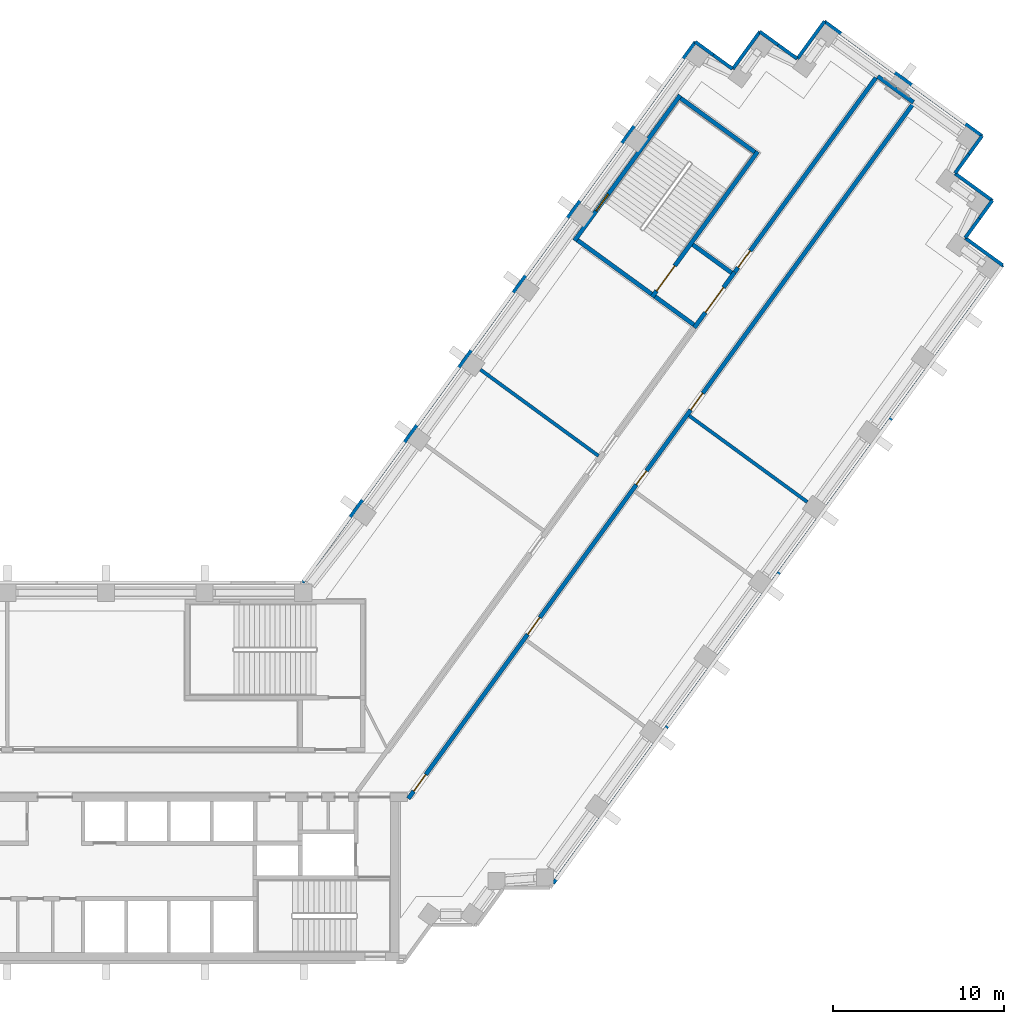
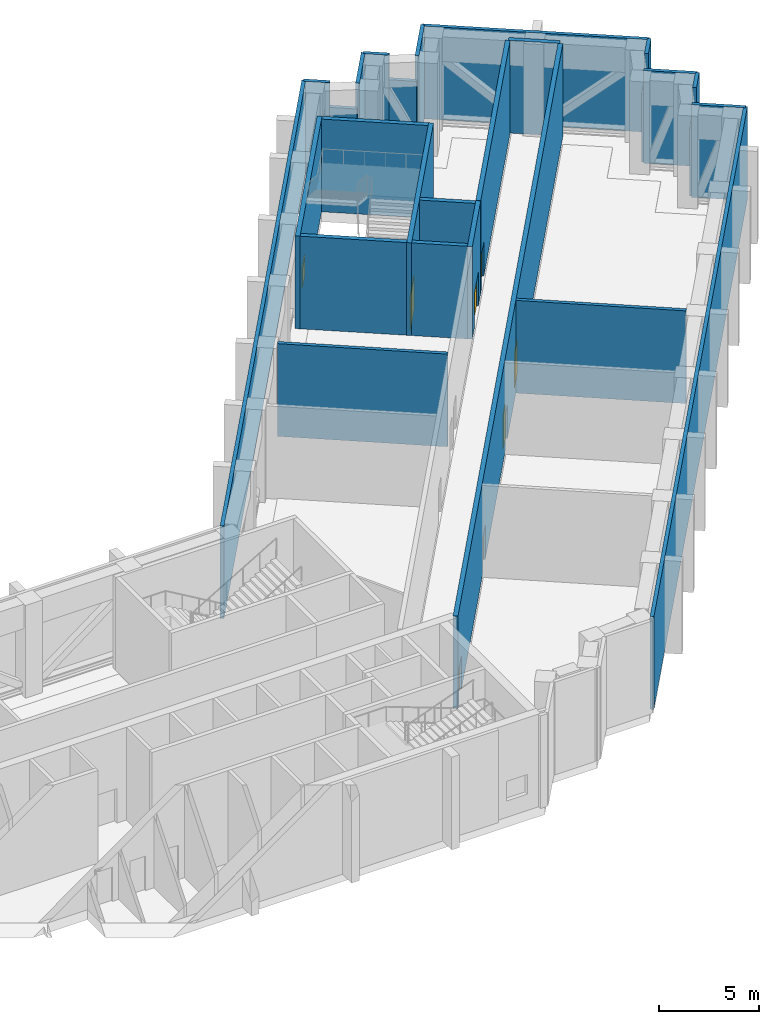
# One storey, part 15 of 19: 27 walls, 7 doors, 1 window, 8 openings.
"""IFC4 building model written with IfcOpenShell, lengths in metres."""

from ifc_helpers import new_model, si_unit, direction, frame, frame_2d, origin, place, context, subcontext, project, spatial, rectangle, extrude, material, layer, layer_set, type_object, element, fill, save


model = new_model("IFC4")

# Units and contexts
model_context = context("Model", 3, precision=1e-05, world=origin(), true_north=direction((0.0, 1.0)))
body_context = subcontext(model_context, "Body", "Model", "MODEL_VIEW")
ifc_project = project(units=[si_unit("LENGTHUNIT", "METRE"), si_unit("AREAUNIT", "SQUARE_METRE"), si_unit("VOLUMEUNIT", "CUBIC_METRE"), si_unit("PLANEANGLEUNIT", "RADIAN"), si_unit("MASSUNIT", "GRAM", prefix="KILO")], contexts=[model_context])

# Site, building, storey
site_placement = place(None, origin())
site = spatial("IfcSite", under=ifc_project, at=site_placement, CompositionType="ELEMENT")
building_placement = place(site_placement, origin())
building = spatial("IfcBuilding", under=site, at=building_placement, Name="Quipu Civic Tower", CompositionType="ELEMENT")
storey_placement = place(building_placement, frame((0.0, 0.0, 25.0)))
storey = spatial("IfcBuildingStorey", under=building, at=storey_placement, Name="L05", CompositionType="ELEMENT", Elevation=25.0)

# Walls
ifc_material_1 = material(Name="Fired clay blockwork", Category="masonry")
ifc_layer_1 = layer(ifc_material_1, 0.199951171875)
ifc_layer_set_1 = layer_set([ifc_layer_1], Name="Fired clay blockwork")
wall_type_1 = type_object("IfcWallType", Name="Blockwork wall 200", PredefinedType="SOLIDWALL", material=ifc_layer_set_1)
wall_1_placement = place(storey_placement, frame((36.934814453125, 20.84228515625, 0.0), z_axis=(0.0, 0.0, 1.0), x_axis=(0.807533485854, -0.589821726647, 0.0)))
element("IfcWall", 1, at=wall_1_placement, inside=storey, type_object=wall_type_1, Name="Partition P03", PredefinedType="SOLIDWALL", context=body_context, shape_type="SweptSolid", body=[
    extrude(rectangle(XDim=8.544921875, YDim=0.199951171875, at=frame_2d((4.2724609375, 0.0))), origin(), (0.0, 0.0, 1.0), 5.64990234375),
])
wall_2_placement = place(storey_placement, frame((24.7421875, 23.53271484375, 0.0), z_axis=(0.0, 0.0, 1.0), x_axis=(0.807566971186, -0.58977587866, 0.0)))
element("IfcWall", 2, at=wall_2_placement, inside=storey, type_object=wall_type_1, Name="Partition P06", PredefinedType="SOLIDWALL", context=body_context, shape_type="SweptSolid", body=[
    extrude(rectangle(XDim=8.545166015625, YDim=0.199951171875, at=frame_2d((4.2724609375, 0.0))), origin(), (0.0, 0.0, 1.0), 5.64990234375),
])

# Wall, opening, door
ifc_material_2 = material(Name="Concrete C70/85", Category="concrete")
ifc_layer_2 = layer(ifc_material_2, 0.25)
ifc_layer_set_2 = layer_set([ifc_layer_2], Name="Concrete C70/85")
wall_type_2 = type_object("IfcWallType", Name="Core wall 250", PredefinedType="SHEAR", material=ifc_layer_set_2)
wall_3_placement = place(storey_placement, frame((37.237548828125, 25.979736328125, 0.0), z_axis=(0.0, 0.0, 1.0), x_axis=(0.587772420479, 0.809026317077, 0.0)))
wall_3 = element("IfcWall", 3, at=wall_3_placement, inside=storey, type_object=wall_type_2, Name="Core wall", PredefinedType="SHEAR", context=body_context, shape_type="SweptSolid", body=[
    extrude(rectangle(XDim=4.0, YDim=0.25, at=frame_2d((2.0, 0.0))), origin(), (0.0, 0.0, 1.0), 5.64990234375),
])
opening_1_placement = place(wall_3_placement, frame((1.10009765625, 0.0, 0.0)))
opening_1 = element("IfcOpeningElement", 4, at=opening_1_placement, cuts=wall_3, Name="Opening CD-21", PredefinedType="OPENING", context=body_context, shape_type="SweptSolid", body=[
    extrude(rectangle(XDim=1.800048828125, YDim=2.10009765625, at=frame_2d((0.89990234375, 1.050048828125))), frame((0.0, 0.135009765625, 0.0), z_axis=(0.0, -1.0, 0.0), x_axis=(1.0, 0.0, 0.0)), (0.0, 0.0, 1.0), 0.27001953125),
])
ifc_material_3 = material(Name="Fire rated steel door", Category="steel")
door_type_1 = type_object("IfcDoorType", Name="Fire door FD90 double 1800 x 2100", OperationType="NOTDEFINED", PredefinedType="DOOR", material=ifc_material_3)
door_1_placement = place(opening_1_placement, origin())
door_1 = element("IfcDoor", 5, at=door_1_placement, inside=storey, type_object=door_type_1, Name="Lobby door", OperationType="DOUBLE_DOOR_SINGLE_SWING", OverallHeight=2.10009765625, OverallWidth=1.800048828125, PredefinedType="DOOR", context=body_context, shape_type="SweptSolid", body=[
    extrude(rectangle(XDim=1.800048828125, YDim=2.10009765625, at=frame_2d((0.89990234375, 1.050048828125))), frame((0.0, 0.02490234375, 0.0), z_axis=(0.0, -1.0, 0.0), x_axis=(1.0, 0.0, 0.0)), (0.0, 0.0, 1.0), 0.050048828125),
])
fill(opening_1, door_1)

# Walls
for number, where, z_axis, x_axis, name in (
    (6, (37.2099609375, 26.154296875, 0.0), (0.0, 0.0, 1.0), (-0.809041377956, 0.587751689708, 0.0), "Core wall"),
    (7, (39.4140625, 29.18798828125, 0.0), (0.0, 0.0, 1.0), (-0.808969789945, 0.58785021813, 0.0), "Core wall"),
):
    element("IfcWall", number, at=place(storey_placement, frame(where, z_axis=z_axis, x_axis=x_axis)), inside=storey, type_object=wall_type_2, Name=name, PredefinedType="SHEAR", context=body_context, shape_type="SweptSolid", body=[
        extrude(rectangle(XDim=2.800048828125, YDim=0.25, at=frame_2d((1.39990234375, 0.0))), origin(), (0.0, 0.0, 1.0), 5.64990234375),
    ])

# Wall, opening, door
wall_4_placement = place(storey_placement, frame((34.77001953125, 27.7724609375, 0.0), z_axis=(0.0, 0.0, 1.0), x_axis=(0.587795589702, 0.809009483706, 0.0)))
wall_4 = element("IfcWall", 8, at=wall_4_placement, inside=storey, type_object=wall_type_2, Name="Core wall", PredefinedType="SHEAR", context=body_context, shape_type="SweptSolid", body=[
    extrude(rectangle(XDim=10.5, YDim=0.25, at=frame_2d((5.25, 0.0))), origin(), (0.0, 0.0, 1.0), 5.64990234375),
])
opening_2_placement = place(wall_4_placement, frame((0.449951171875, 0.0, 0.0)))
opening_2 = element("IfcOpeningElement", 9, at=opening_2_placement, cuts=wall_4, Name="Opening CD-22", PredefinedType="OPENING", context=body_context, shape_type="SweptSolid", body=[
    extrude(rectangle(XDim=1.800048828125, YDim=2.10009765625, at=frame_2d((0.89990234375, 1.050048828125))), frame((0.0, 0.135009765625, 0.0), z_axis=(0.0, -1.0, 0.0), x_axis=(1.0, 0.0, 0.0)), (0.0, 0.0, 1.0), 0.27001953125),
])
door_2_placement = place(opening_2_placement, origin())
door_2 = element("IfcDoor", 10, at=door_2_placement, inside=storey, type_object=door_type_1, Name="Door", OperationType="DOUBLE_DOOR_SINGLE_SWING", OverallHeight=2.10009765625, OverallWidth=1.800048828125, PredefinedType="DOOR", context=body_context, shape_type="SweptSolid", body=[
    extrude(rectangle(XDim=1.800048828125, YDim=2.10009765625, at=frame_2d((0.89990234375, 1.050048828125))), frame((0.0, 0.02490234375, 0.0), z_axis=(0.0, -1.0, 0.0), x_axis=(1.0, 0.0, 0.0)), (0.0, 0.0, 1.0), 0.050048828125),
])
fill(opening_2, door_2)

# Walls
wall_5_placement = place(storey_placement, frame((34.742431640625, 27.947021484375, 0.0), z_axis=(0.0, 0.0, 1.0), x_axis=(-0.8089984606, 0.587810760999, 0.0)))
element("IfcWall", 11, at=wall_5_placement, inside=storey, type_object=wall_type_2, Name="Core wall", PredefinedType="SHEAR", context=body_context, shape_type="SweptSolid", body=[
    extrude(rectangle(XDim=5.35009765625, YDim=0.25, at=frame_2d((2.675048828125, 0.0))), origin(), (0.0, 0.0, 1.0), 5.64990234375),
])
wall_6_placement = place(storey_placement, frame((40.76708984375, 36.239501953125, 0.0), z_axis=(0.0, 0.0, 1.0), x_axis=(-0.809020161303, 0.587780893365, 0.0)))
element("IfcWall", 12, at=wall_6_placement, inside=storey, type_object=wall_type_2, Name="Core wall", PredefinedType="SHEAR", context=body_context, shape_type="SweptSolid", body=[
    extrude(rectangle(XDim=5.349853515625, YDim=0.25, at=frame_2d((2.6748046875, 0.0))), origin(), (0.0, 0.0, 1.0), 5.64990234375),
])

# Wall, opening, window
wall_7_placement = place(storey_placement, frame((30.239501953125, 31.06396484375, 0.0), z_axis=(0.0, 0.0, 1.0), x_axis=(0.587795589702, 0.809009483706, 0.0)))
wall_7 = element("IfcWall", 13, at=wall_7_placement, inside=storey, type_object=wall_type_2, Name="Core wall", PredefinedType="SHEAR", context=body_context, shape_type="SweptSolid", body=[
    extrude(rectangle(XDim=10.5, YDim=0.25, at=frame_2d((5.25, 0.0))), origin(), (0.0, 0.0, 1.0), 5.64990234375),
])
opening_3_placement = place(wall_7_placement, frame((2.14990234375, 0.0, 1.0)))
opening_3 = element("IfcOpeningElement", 14, at=opening_3_placement, cuts=wall_7, Name="Opening SV-7", PredefinedType="OPENING", context=body_context, shape_type="SweptSolid", body=[
    extrude(rectangle(XDim=1.199951171875, YDim=1.199951171875, at=frame_2d((0.60009765625, 0.60009765625))), frame((0.0, 0.135009765625, 0.0), z_axis=(0.0, -1.0, 0.0), x_axis=(1.0, 0.0, 0.0)), (0.0, 0.0, 1.0), 0.27001953125),
])
ifc_material_4 = material(Name="Aluminium louvre", Category="aluminium")
window_type = type_object("IfcWindowType", Name="Stair ventilation louvre 1200 x 1200", PartitioningType="SINGLE_PANEL", PredefinedType="WINDOW", material=ifc_material_4)
window_placement = place(opening_3_placement, origin())
window = element("IfcWindow", 15, at=window_placement, inside=storey, type_object=window_type, Name="Stair ventilation opening", OverallHeight=1.199951171875, OverallWidth=1.199951171875, PartitioningType="SINGLE_PANEL", PredefinedType="WINDOW", context=body_context, shape_type="SweptSolid", body=[
    extrude(rectangle(XDim=1.199951171875, YDim=1.199951171875, at=frame_2d((0.60009765625, 0.60009765625))), frame((0.0, 0.030029296875, 0.0), z_axis=(0.0, -1.0, 0.0), x_axis=(1.0, 0.0, 0.0)), (0.0, 0.0, 1.0), 0.06005859375),
])
fill(opening_3, window)

# Wall
ifc_material_5 = material(Name="Concrete C50/60", Category="concrete")
ifc_layer_3 = layer(ifc_material_5, 0.25)
ifc_layer_set_3 = layer_set([ifc_layer_3], Name="Concrete C50/60")
wall_type_3 = type_object("IfcWallType", Name="Corridor wall 250 concrete", PredefinedType="SOLIDWALL", material=ifc_layer_set_3)
wall_8_placement = place(storey_placement, frame((47.94775390625, 40.663818359375, 0.0), z_axis=(0.0, 0.0, 1.0), x_axis=(0.809005798971, -0.587800661136, 0.0)))
element("IfcWall", 16, at=wall_8_placement, inside=storey, type_object=wall_type_3, Name="Corridor wall C01", PredefinedType="SOLIDWALL", context=body_context, shape_type="SweptSolid", body=[
    extrude(rectangle(XDim=2.58251953125, YDim=0.25, at=frame_2d((1.291259765625, 0.0))), origin(), (0.0, 0.0, 1.0), 5.64990234375),
])

# Wall, openings, doors
wall_9_placement = place(storey_placement, frame((49.98876953125, 39.02197265625, 0.0), z_axis=(0.0, 0.0, 1.0), x_axis=(-0.587782625701, -0.809018902699, 0.0)))
wall_9 = element("IfcWall", 17, at=wall_9_placement, inside=storey, type_object=wall_type_3, Name="Corridor wall C02", PredefinedType="SOLIDWALL", context=body_context, shape_type="SweptSolid", body=[
    extrude(rectangle(XDim=50.11669921875, YDim=0.25, at=frame_2d((25.058349609375, 0.0))), origin(), (0.0, 0.0, 1.0), 5.64990234375),
])
opening_4_placement = place(wall_9_placement, frame((37.05126953125, 0.0, 0.0)))
opening_4 = element("IfcOpeningElement", 18, at=opening_4_placement, cuts=wall_9, Name="Opening D006", PredefinedType="OPENING", context=body_context, shape_type="SweptSolid", body=[
    extrude(rectangle(XDim=1.199951171875, YDim=2.10009765625, at=frame_2d((0.60009765625, 1.050048828125))), frame((0.0, 0.135009765625, 0.0), z_axis=(0.0, -1.0, 0.0), x_axis=(1.0, 0.0, 0.0)), (0.0, 0.0, 1.0), 0.27001953125),
])
opening_5_placement = place(wall_9_placement, frame((20.851318359375, 0.0, 0.0)))
opening_5 = element("IfcOpeningElement", 19, at=opening_5_placement, cuts=wall_9, Name="Opening D008", PredefinedType="OPENING", context=body_context, shape_type="SweptSolid", body=[
    extrude(rectangle(XDim=1.199951171875, YDim=2.10009765625, at=frame_2d((0.60009765625, 1.050048828125))), frame((0.0, 0.135009765625, 0.0), z_axis=(0.0, -1.0, 0.0), x_axis=(1.0, 0.0, 0.0)), (0.0, 0.0, 1.0), 0.27001953125),
])
opening_6_placement = place(wall_9_placement, frame((48.383544921875, 0.0, 0.0)))
opening_6 = element("IfcOpeningElement", 20, at=opening_6_placement, cuts=wall_9, Name="Opening D005", PredefinedType="OPENING", context=body_context, shape_type="SweptSolid", body=[
    extrude(rectangle(XDim=1.199951171875, YDim=2.10009765625, at=frame_2d((0.60009765625, 1.050048828125))), frame((0.0, 0.135009765625, 0.0), z_axis=(0.0, -1.0, 0.0), x_axis=(1.0, 0.0, 0.0)), (0.0, 0.0, 1.0), 0.27001953125),
])
opening_7_placement = place(wall_9_placement, frame((26.450439453125, 0.0, 0.0)))
opening_7 = element("IfcOpeningElement", 21, at=opening_7_placement, cuts=wall_9, Name="Opening D007", PredefinedType="OPENING", context=body_context, shape_type="SweptSolid", body=[
    extrude(rectangle(XDim=1.0, YDim=2.10009765625, at=frame_2d((0.5, 1.050048828125))), frame((0.0, 0.135009765625, 0.0), z_axis=(0.0, -1.0, 0.0), x_axis=(1.0, 0.0, 0.0)), (0.0, 0.0, 1.0), 0.27001953125),
])
ifc_material_6 = material(Name="Fire rated timber door set with metal frame", Category="wood")
door_type_2 = type_object("IfcDoorType", Name="Single door 1000 x 2100 FD60", OperationType="NOTDEFINED", PredefinedType="DOOR", material=ifc_material_6)
door_3_placement = place(opening_7_placement, origin())
door_3 = element("IfcDoor", 22, at=door_3_placement, inside=storey, type_object=door_type_2, Name="Door D007", OperationType="SINGLE_SWING_RIGHT", OverallHeight=2.10009765625, OverallWidth=1.0, PredefinedType="DOOR", context=body_context, shape_type="SweptSolid", body=[
    extrude(rectangle(XDim=1.0, YDim=2.10009765625, at=frame_2d((0.5, 1.050048828125))), frame((0.0, 0.02490234375, 0.0), z_axis=(0.0, -1.0, 0.0), x_axis=(1.0, 0.0, 0.0)), (0.0, 0.0, 1.0), 0.050048828125),
])
fill(opening_7, door_3)
ifc_material_7 = material(Name="Fire rated timber door set with metal frame", Category="wood")
door_type_3 = type_object("IfcDoorType", Name="Single door 1200 x 2100 FD60", OperationType="NOTDEFINED", PredefinedType="DOOR", material=ifc_material_7)
door_4_placement = place(opening_4_placement, origin())
door_4 = element("IfcDoor", 23, at=door_4_placement, inside=storey, type_object=door_type_3, Name="Door D006", OperationType="SINGLE_SWING_RIGHT", OverallHeight=2.10009765625, OverallWidth=1.199951171875, PredefinedType="DOOR", context=body_context, shape_type="SweptSolid", body=[
    extrude(rectangle(XDim=1.199951171875, YDim=2.10009765625, at=frame_2d((0.60009765625, 1.050048828125))), frame((0.0, 0.02490234375, 0.0), z_axis=(0.0, -1.0, 0.0), x_axis=(1.0, 0.0, 0.0)), (0.0, 0.0, 1.0), 0.050048828125),
])
fill(opening_4, door_4)
door_5_placement = place(opening_5_placement, origin())
door_5 = element("IfcDoor", 24, at=door_5_placement, inside=storey, type_object=door_type_3, Name="Door D008", OperationType="SINGLE_SWING_RIGHT", OverallHeight=2.10009765625, OverallWidth=1.199951171875, PredefinedType="DOOR", context=body_context, shape_type="SweptSolid", body=[
    extrude(rectangle(XDim=1.199951171875, YDim=2.10009765625, at=frame_2d((0.60009765625, 1.050048828125))), frame((0.0, 0.02490234375, 0.0), z_axis=(0.0, -1.0, 0.0), x_axis=(1.0, 0.0, 0.0)), (0.0, 0.0, 1.0), 0.050048828125),
])
fill(opening_5, door_5)
door_6_placement = place(opening_6_placement, origin())
door_6 = element("IfcDoor", 25, at=door_6_placement, inside=storey, type_object=door_type_3, Name="Door D005", OperationType="SINGLE_SWING_RIGHT", OverallHeight=2.10009765625, OverallWidth=1.199951171875, PredefinedType="DOOR", context=body_context, shape_type="SweptSolid", body=[
    extrude(rectangle(XDim=1.199951171875, YDim=2.10009765625, at=frame_2d((0.60009765625, 1.050048828125))), frame((0.0, 0.02490234375, 0.0), z_axis=(0.0, -1.0, 0.0), x_axis=(1.0, 0.0, 0.0)), (0.0, 0.0, 1.0), 0.050048828125),
])
fill(opening_6, door_6)

# Wall, opening, door
wall_10_placement = place(storey_placement, frame((39.594482421875, 29.223876953125, 0.0), z_axis=(0.0, 0.0, 1.0), x_axis=(0.587788979369, 0.809014286482, 0.0)))
wall_10 = element("IfcWall", 26, at=wall_10_placement, inside=storey, type_object=wall_type_3, Name="Corridor wall C09", PredefinedType="SOLIDWALL", context=body_context, shape_type="SweptSolid", body=[
    extrude(rectangle(XDim=14.036376953125, YDim=0.25, at=frame_2d((7.01806640625, 0.0))), origin(), (0.0, 0.0, 1.0), 5.64990234375),
])
opening_8_placement = place(wall_10_placement, frame((0.340087890625, 0.0, 0.0)))
opening_8 = element("IfcOpeningElement", 27, at=opening_8_placement, cuts=wall_10, Name="Opening D004", PredefinedType="OPENING", context=body_context, shape_type="SweptSolid", body=[
    extrude(rectangle(XDim=1.199951171875, YDim=2.10009765625, at=frame_2d((0.60009765625, 1.050048828125))), frame((0.0, 0.135009765625, 0.0), z_axis=(0.0, -1.0, 0.0), x_axis=(1.0, 0.0, 0.0)), (0.0, 0.0, 1.0), 0.27001953125),
])
door_7_placement = place(opening_8_placement, origin())
door_7 = element("IfcDoor", 28, at=door_7_placement, inside=storey, type_object=door_type_3, Name="Door D004", OperationType="SINGLE_SWING_LEFT", OverallHeight=2.10009765625, OverallWidth=1.199951171875, PredefinedType="DOOR", context=body_context, shape_type="SweptSolid", body=[
    extrude(rectangle(XDim=1.199951171875, YDim=2.10009765625, at=frame_2d((0.60009765625, 1.050048828125))), frame((0.0, 0.02490234375, 0.0), z_axis=(0.0, -1.0, 0.0), x_axis=(1.0, 0.0, 0.0)), (0.0, 0.0, 1.0), 0.050048828125),
])
fill(opening_8, door_7)

# Walls
ifc_material_8 = material(Name="Precast concrete C40/50", Category="concrete")
wall_type_4 = type_object("IfcWallType", Name="Precast cladding wall", PredefinedType="SOLIDWALL", material=ifc_material_8)
wall_11_placement = place(storey_placement, frame((28.99755859375, -6.47998046875, 0.0), z_axis=(0.0, 0.0, 1.0), x_axis=(0.587784449244, 0.809017577823, 0.0)))
element("IfcWall", 29, at=wall_11_placement, inside=storey, type_object=wall_type_4, Name="Precast cladding wall L05 27", PredefinedType="SOLIDWALL", context=body_context, shape_type="SweptSolid", body=[
    extrude(rectangle(XDim=44.65380859375, YDim=0.199951171875, at=frame_2d((22.326904296875, 0.0))), origin(), (0.0, 0.0, 1.0), 5.64990234375),
])
wall_12_placement = place(storey_placement, frame((55.2470703125, 29.62890625, 0.0), z_axis=(0.0, 0.0, 1.0), x_axis=(-0.809033161865, 0.587762999008, 0.0)))
element("IfcWall", 30, at=wall_12_placement, inside=storey, type_object=wall_type_4, Name="Precast cladding wall L05 28", PredefinedType="SOLIDWALL", context=body_context, shape_type="SweptSolid", body=[
    extrude(rectangle(XDim=2.699951171875, YDim=0.199951171875, at=frame_2d((1.35009765625, 0.0))), origin(), (0.0, 0.0, 1.0), 5.64990234375),
])
wall_13_placement = place(storey_placement, frame((53.06005859375, 31.232666015625, 0.0), z_axis=(0.0, 0.0, 1.0), x_axis=(0.587776137069, 0.809023616894, 0.0)))
element("IfcWall", 31, at=wall_13_placement, inside=storey, type_object=wall_type_4, Name="Precast cladding wall L05 29", PredefinedType="SOLIDWALL", context=body_context, shape_type="SweptSolid", body=[
    extrude(rectangle(XDim=1.394775390625, YDim=0.199951171875, at=frame_2d((0.697265625, 0.0))), origin(), (0.0, 0.0, 1.0), 4.14990234375),
])
wall_14_placement = place(storey_placement, frame((53.8798828125, 32.361083984375, 0.0), z_axis=(0.0, 0.0, 1.0), x_axis=(0.587871379726, 0.808954412127, 0.0)))
element("IfcWall", 32, at=wall_14_placement, inside=storey, type_object=wall_type_4, Name="Precast cladding wall L05 29 a", PredefinedType="SOLIDWALL", context=body_context, shape_type="SweptSolid", body=[
    extrude(rectangle(XDim=1.30517578125, YDim=0.199951171875, at=frame_2d((0.652587890625, 0.0))), origin(), (0.0, 0.0, 1.0), 5.64990234375),
])
wall_15_placement = place(storey_placement, frame((54.649658203125, 33.400390625, 0.0), z_axis=(0.0, 0.0, 1.0), x_axis=(-0.809033161865, 0.587762999008, 0.0)))
element("IfcWall", 33, at=wall_15_placement, inside=storey, type_object=wall_type_4, Name="Precast cladding wall L05 30", PredefinedType="SOLIDWALL", context=body_context, shape_type="SweptSolid", body=[
    extrude(rectangle(XDim=2.699951171875, YDim=0.199951171875, at=frame_2d((1.35009765625, 0.0))), origin(), (0.0, 0.0, 1.0), 5.64990234375),
])
wall_16_placement = place(storey_placement, frame((52.462646484375, 35.004150390625, 0.0), z_axis=(0.0, 0.0, 1.0), x_axis=(0.587782252522, 0.809019173827, 0.0)))
element("IfcWall", 34, at=wall_16_placement, inside=storey, type_object=wall_type_4, Name="Precast cladding wall L05 31", PredefinedType="SOLIDWALL", context=body_context, shape_type="SweptSolid", body=[
    extrude(rectangle(XDim=1.37939453125, YDim=0.199951171875, at=frame_2d((0.689697265625, 0.0))), origin(), (0.0, 0.0, 1.0), 4.14990234375),
])
wall_17_placement = place(storey_placement, frame((53.2734375, 36.1201171875, 0.0), z_axis=(0.0, 0.0, 1.0), x_axis=(0.58786388341, 0.808959859686, 0.0)))
element("IfcWall", 35, at=wall_17_placement, inside=storey, type_object=wall_type_4, Name="Precast cladding wall L05 31 a", PredefinedType="SOLIDWALL", context=body_context, shape_type="SweptSolid", body=[
    extrude(rectangle(XDim=1.320556640625, YDim=0.199951171875, at=frame_2d((0.66015625, 0.0))), origin(), (0.0, 0.0, 1.0), 5.64990234375),
])
wall_18_placement = place(storey_placement, frame((54.052490234375, 37.171630859375, 0.0), z_axis=(0.0, 0.0, 1.0), x_axis=(-0.809023074878, 0.587776883106, 0.0)))
element("IfcWall", 36, at=wall_18_placement, inside=storey, type_object=wall_type_4, Name="Precast cladding wall L05 32", PredefinedType="SOLIDWALL", context=body_context, shape_type="SweptSolid", body=[
    extrude(rectangle(XDim=11.400146484375, YDim=0.199951171875, at=frame_2d((5.7001953125, 0.0))), origin(), (0.0, 0.0, 1.0), 5.64990234375),
])
wall_19_placement = place(storey_placement, frame((44.846435546875, 43.875, 0.0), z_axis=(0.0, 0.0, 1.0), x_axis=(-0.587822180636, -0.808990163075, 0.0)))
element("IfcWall", 37, at=wall_19_placement, inside=storey, type_object=wall_type_4, Name="Precast cladding wall L05 33", PredefinedType="SOLIDWALL", context=body_context, shape_type="SweptSolid", body=[
    extrude(rectangle(XDim=2.699951171875, YDim=0.199951171875, at=frame_2d((1.35009765625, 0.0))), origin(), (0.0, 0.0, 1.0), 5.64990234375),
])
wall_20_placement = place(storey_placement, frame((43.242431640625, 41.68798828125, 0.0), z_axis=(0.0, 0.0, 1.0), x_axis=(-0.808926734208, 0.5879094647, 0.0)))
element("IfcWall", 38, at=wall_20_placement, inside=storey, type_object=wall_type_4, Name="Precast cladding wall L05 34", PredefinedType="SOLIDWALL", context=body_context, shape_type="SweptSolid", body=[
    extrude(rectangle(XDim=1.384033203125, YDim=0.199951171875, at=frame_2d((0.69189453125, 0.0))), origin(), (0.0, 0.0, 1.0), 4.14990234375),
])
wall_21_placement = place(storey_placement, frame((42.122802734375, 42.501708984375, 0.0), z_axis=(0.0, 0.0, 1.0), x_axis=(-0.809056865039, 0.587730371117, 0.0)))
element("IfcWall", 39, at=wall_21_placement, inside=storey, type_object=wall_type_4, Name="Precast cladding wall L05 34 a", PredefinedType="SOLIDWALL", context=body_context, shape_type="SweptSolid", body=[
    extrude(rectangle(XDim=1.31591796875, YDim=0.199951171875, at=frame_2d((0.657958984375, 0.0))), origin(), (0.0, 0.0, 1.0), 5.64990234375),
])
wall_22_placement = place(storey_placement, frame((41.074951171875, 43.277587890625, 0.0), z_axis=(0.0, 0.0, 1.0), x_axis=(-0.587806000234, -0.809001919707, 0.0)))
element("IfcWall", 40, at=wall_22_placement, inside=storey, type_object=wall_type_4, Name="Precast cladding wall L05 35", PredefinedType="SOLIDWALL", context=body_context, shape_type="SweptSolid", body=[
    extrude(rectangle(XDim=2.69970703125, YDim=0.199951171875, at=frame_2d((1.349853515625, 0.0))), origin(), (0.0, 0.0, 1.0), 5.64990234375),
])
wall_23_placement = place(storey_placement, frame((39.47119140625, 41.0908203125, 0.0), z_axis=(0.0, 0.0, 1.0), x_axis=(-0.809002762913, 0.58780483972, 0.0)))
element("IfcWall", 41, at=wall_23_placement, inside=storey, type_object=wall_type_4, Name="Precast cladding wall L05 36", PredefinedType="SOLIDWALL", context=body_context, shape_type="SweptSolid", body=[
    extrude(rectangle(XDim=1.38525390625, YDim=0.199951171875, at=frame_2d((0.692626953125, 0.0))), origin(), (0.0, 0.0, 1.0), 4.14990234375),
])
wall_24_placement = place(storey_placement, frame((38.3505859375, 41.905029296875, 0.0), z_axis=(0.0, 0.0, 1.0), x_axis=(-0.809065186597, 0.587718915671, 0.0)))
element("IfcWall", 42, at=wall_24_placement, inside=storey, type_object=wall_type_4, Name="Precast cladding wall L05 36 a", PredefinedType="SOLIDWALL", context=body_context, shape_type="SweptSolid", body=[
    extrude(rectangle(XDim=1.314697265625, YDim=0.199951171875, at=frame_2d((0.6572265625, 0.0))), origin(), (0.0, 0.0, 1.0), 5.64990234375),
])
wall_25_placement = place(storey_placement, frame((37.3037109375, 42.680419921875, 0.0), z_axis=(0.0, 0.0, 1.0), x_axis=(-0.587787194805, -0.809015583054, 0.0)))
element("IfcWall", 43, at=wall_25_placement, inside=storey, type_object=wall_type_4, Name="Precast cladding wall L05 37", PredefinedType="SOLIDWALL", context=body_context, shape_type="SweptSolid", body=[
    extrude(rectangle(XDim=39.044189453125, YDim=0.199951171875, at=frame_2d((19.52197265625, 0.0))), origin(), (0.0, 0.0, 1.0), 5.64990234375),
])

save(model, "model.ifc")
